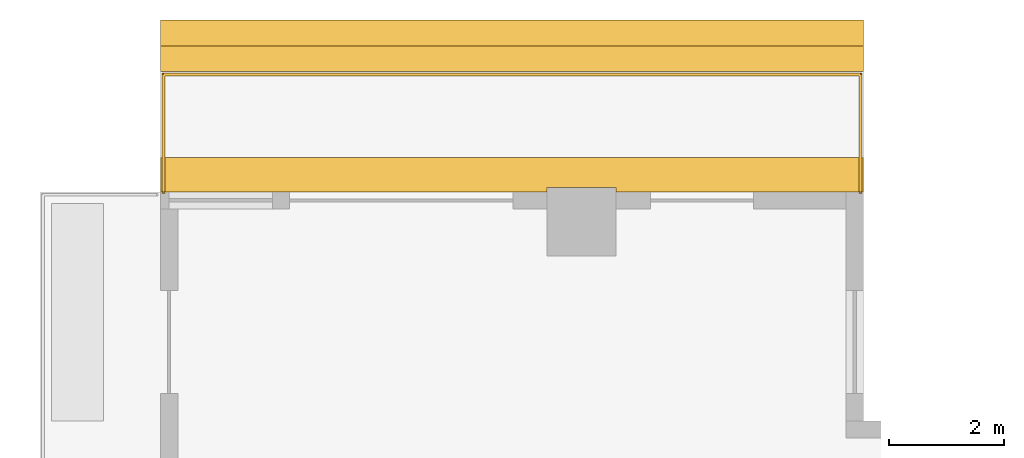
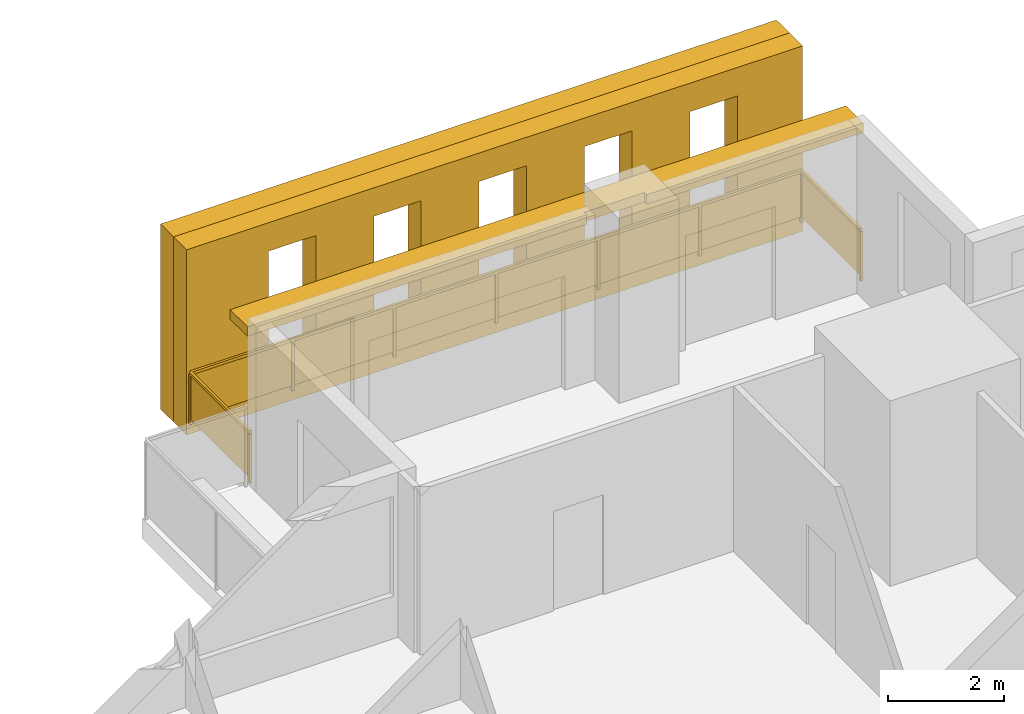
# One storey, part 16 of 16: 3 shading devices, 1 railing.
"""IFC4 building model written with IfcOpenShell, lengths in metres."""

from ifc_helpers import new_model, si_unit, direction, frame, origin, origin_2d, place, context, subcontext, project, spatial, polyline, rectangle, outline, extrude, material, layer, layer_set, type_object, element, save


model = new_model("IFC4")

# Units and contexts
model_context = context("Model", 3, precision=1e-05, world=origin(), true_north=direction((0.0, 1.0)))
body_context = subcontext(model_context, "Body", "Model", "MODEL_VIEW")
ifc_project = project(units=[si_unit("LENGTHUNIT", "METRE"), si_unit("AREAUNIT", "SQUARE_METRE"), si_unit("VOLUMEUNIT", "CUBIC_METRE"), si_unit("PLANEANGLEUNIT", "RADIAN"), si_unit("MASSUNIT", "GRAM", prefix="KILO")], contexts=[model_context])

# Site, building, storey
site_placement = place(None, origin())
site = spatial("IfcSite", under=ifc_project, at=site_placement, CompositionType="ELEMENT")
building_placement = place(site_placement, origin())
building = spatial("IfcBuilding", under=site, at=building_placement, Name="Khepri Terraces", CompositionType="ELEMENT")
storey_placement = place(building_placement, frame((0.0, 0.0, 157.199951171875)))
storey = spatial("IfcBuildingStorey", under=building, at=storey_placement, Name="L37", CompositionType="ELEMENT", Elevation=157.199951171875)

# Railing
ifc_material_1 = material(Name="Stainless steel grade 316", Category="steel")
railing_type = type_object("IfcRailingType", Name="GRD-BAL-1100", PredefinedType="GUARDRAIL", material=ifc_material_1)
railing_placement = place(storey_placement, frame((21.669921875, 25.719970703125, 0.0)))
element("IfcRailing", 1, at=railing_placement, inside=storey, type_object=railing_type, Name="Balcony guard L37 N", PredefinedType="GUARDRAIL", context=body_context, shape_type="SweptSolid", body=[
    extrude(rectangle(XDim=0.050048828125, YDim=0.06005859375, at=origin_2d()), frame((0.0, 0.0, 1.070068359375), z_axis=(0.0, 1.0, 0.0), x_axis=(-1.0, 0.0, 0.0)), (0.0, 0.0, 1.0), 2.050048828125),
    extrude(rectangle(XDim=2.0, YDim=0.011962890625, at=origin_2d()), frame((0.0, 1.02490234375, 0.10009765625), z_axis=(0.0, 0.0, 1.0), x_axis=(0.0, 1.0, 0.0)), (0.0, 0.0, 1.0), 0.93994140625),
    extrude(rectangle(XDim=0.050048828125, YDim=0.06005859375, at=origin_2d()), frame((0.0, 2.050048828125, 1.070068359375), z_axis=(-1.0, 0.0, 0.0), x_axis=(0.0, -1.0, 0.0)), (0.0, 0.0, 1.0), 12.169921875),
    extrude(rectangle(XDim=1.978271484375, YDim=0.011962890625, at=origin_2d()), frame((-1.01416015625, 2.050048828125, 0.10009765625), z_axis=(0.0, 0.0, 1.0), x_axis=(-1.0, 0.0, 0.0)), (0.0, 0.0, 1.0), 0.93994140625),
    extrude(rectangle(XDim=1.978271484375, YDim=0.011962890625, at=origin_2d()), frame((-3.04248046875, 2.050048828125, 0.10009765625), z_axis=(0.0, 0.0, 1.0), x_axis=(-1.0, 0.0, 0.0)), (0.0, 0.0, 1.0), 0.93994140625),
    extrude(rectangle(XDim=1.978271484375, YDim=0.011962890625, at=origin_2d()), frame((-5.07080078125, 2.050048828125, 0.10009765625), z_axis=(0.0, 0.0, 1.0), x_axis=(-1.0, 0.0, 0.0)), (0.0, 0.0, 1.0), 0.93994140625),
    extrude(rectangle(XDim=1.978271484375, YDim=0.011962890625, at=origin_2d()), frame((-7.09912109375, 2.050048828125, 0.10009765625), z_axis=(0.0, 0.0, 1.0), x_axis=(-1.0, 0.0, 0.0)), (0.0, 0.0, 1.0), 0.93994140625),
    extrude(rectangle(XDim=1.978271484375, YDim=0.011962890625, at=origin_2d()), frame((-9.12744140625, 2.050048828125, 0.10009765625), z_axis=(0.0, 0.0, 1.0), x_axis=(-1.0, 0.0, 0.0)), (0.0, 0.0, 1.0), 0.93994140625),
    extrude(rectangle(XDim=1.978271484375, YDim=0.011962890625, at=origin_2d()), frame((-11.15576171875, 2.050048828125, 0.10009765625), z_axis=(0.0, 0.0, 1.0), x_axis=(-1.0, 0.0, 0.0)), (0.0, 0.0, 1.0), 0.93994140625),
    extrude(rectangle(XDim=0.050048828125, YDim=0.06005859375, at=origin_2d()), frame((-12.169921875, 2.050048828125, 1.070068359375), z_axis=(0.0, -1.0, 0.0), x_axis=(1.0, 0.0, 0.0)), (0.0, 0.0, 1.0), 2.050048828125),
    extrude(rectangle(XDim=2.0, YDim=0.011962890625, at=origin_2d()), frame((-12.169921875, 1.02490234375, 0.10009765625), z_axis=(0.0, 0.0, 1.0), x_axis=(0.0, -1.0, 0.0)), (0.0, 0.0, 1.0), 0.93994140625),
    extrude(rectangle(XDim=0.050048828125, YDim=0.050048828125, at=origin_2d()), origin(), (0.0, 0.0, 1.0), 1.0400390625),
    extrude(rectangle(XDim=0.050048828125, YDim=0.050048828125, at=origin_2d()), frame((0.0, 2.050048828125, 0.0)), (0.0, 0.0, 1.0), 1.0400390625),
    extrude(rectangle(XDim=0.050048828125, YDim=0.050048828125, at=origin_2d()), frame((-2.0283203125, 2.050048828125, 0.0)), (0.0, 0.0, 1.0), 1.0400390625),
    extrude(rectangle(XDim=0.050048828125, YDim=0.050048828125, at=origin_2d()), frame((-4.056640625, 2.050048828125, 0.0)), (0.0, 0.0, 1.0), 1.0400390625),
    extrude(rectangle(XDim=0.050048828125, YDim=0.050048828125, at=origin_2d()), frame((-6.0849609375, 2.050048828125, 0.0)), (0.0, 0.0, 1.0), 1.0400390625),
    extrude(rectangle(XDim=0.050048828125, YDim=0.050048828125, at=origin_2d()), frame((-8.11328125, 2.050048828125, 0.0)), (0.0, 0.0, 1.0), 1.0400390625),
    extrude(rectangle(XDim=0.050048828125, YDim=0.050048828125, at=origin_2d()), frame((-10.1416015625, 2.050048828125, 0.0)), (0.0, 0.0, 1.0), 1.0400390625),
    extrude(rectangle(XDim=0.050048828125, YDim=0.050048828125, at=origin_2d()), frame((-12.169921875, 2.050048828125, 0.0)), (0.0, 0.0, 1.0), 1.0400390625),
    extrude(rectangle(XDim=0.050048828125, YDim=0.050048828125, at=origin_2d()), frame((-12.169921875, 0.0, 0.0)), (0.0, 0.0, 1.0), 1.0400390625),
])

# Shading devices
ifc_material_2 = material(Name="Precast concrete C50/60 warm stone", Category="masonry")
shading_device_type_1 = type_object("IfcShadingDeviceType", Name="SCR-CELL-INNER-450", PredefinedType="USERDEFINED", material=ifc_material_2)
shading_device_1_placement = place(storey_placement, frame((21.719970703125, 27.820068359375, -0.25), z_axis=(0.0, 1.0, 0.0), x_axis=(-1.0, 0.0, 0.0)))
element("IfcShadingDevice", 2, at=shading_device_1_placement, inside=storey, type_object=shading_device_type_1, Name="Cell screen L37 N in", ObjectType="SCREEN", PredefinedType="USERDEFINED", context=body_context, shape_type="SweptSolid", body=[
    extrude(outline(polyline([(0.0, 0.0), (12.27001953125, 0.0), (12.27001953125, 3.89990234375), (0.0, 3.89990234375), (0.0, 0.0)]), holes=[polyline([(1.297607421875, 0.699951171875), (2.242431640625, 0.699951171875), (2.242431640625, 3.300048828125), (1.297607421875, 3.300048828125), (1.297607421875, 0.699951171875)]), polyline([(3.3974609375, 0.699951171875), (4.342529296875, 0.699951171875), (4.342529296875, 3.300048828125), (3.3974609375, 3.300048828125), (3.3974609375, 0.699951171875)]), polyline([(5.49755859375, 0.699951171875), (6.4423828125, 0.699951171875), (6.4423828125, 3.300048828125), (5.49755859375, 3.300048828125), (5.49755859375, 0.699951171875)]), polyline([(7.597412109375, 0.699951171875), (8.54248046875, 0.699951171875), (8.54248046875, 3.300048828125), (7.597412109375, 3.300048828125), (7.597412109375, 0.699951171875)]), polyline([(9.697509765625, 0.699951171875), (10.642578125, 0.699951171875), (10.642578125, 3.300048828125), (9.697509765625, 3.300048828125), (9.697509765625, 0.699951171875)])]), origin(), (0.0, 0.0, 1.0), 0.449951171875),
])
shading_device_type_2 = type_object("IfcShadingDeviceType", Name="SCR-CELL-OUTER-450", PredefinedType="USERDEFINED", material=ifc_material_2)
shading_device_2_placement = place(storey_placement, frame((21.719970703125, 28.27001953125, -0.25), z_axis=(0.0, 1.0, 0.0), x_axis=(-1.0, 0.0, 0.0)))
element("IfcShadingDevice", 3, at=shading_device_2_placement, inside=storey, type_object=shading_device_type_2, Name="Cell screen L37 N out", ObjectType="SCREEN", PredefinedType="USERDEFINED", context=body_context, shape_type="SweptSolid", body=[
    extrude(outline(polyline([(0.0, 0.0), (12.27001953125, 0.0), (12.27001953125, 3.89990234375), (0.0, 3.89990234375), (0.0, 0.0)]), holes=[polyline([(0.947509765625, 0.449951171875), (2.592529296875, 0.449951171875), (2.592529296875, 3.550048828125), (0.947509765625, 3.550048828125), (0.947509765625, 0.449951171875)]), polyline([(3.047607421875, 0.449951171875), (4.6923828125, 0.449951171875), (4.6923828125, 3.550048828125), (3.047607421875, 3.550048828125), (3.047607421875, 0.449951171875)]), polyline([(5.1474609375, 0.449951171875), (6.79248046875, 0.449951171875), (6.79248046875, 3.550048828125), (5.1474609375, 3.550048828125), (5.1474609375, 0.449951171875)]), polyline([(7.24755859375, 0.449951171875), (8.892578125, 0.449951171875), (8.892578125, 3.550048828125), (7.24755859375, 3.550048828125), (7.24755859375, 0.449951171875)]), polyline([(9.347412109375, 0.449951171875), (10.992431640625, 0.449951171875), (10.992431640625, 3.550048828125), (9.347412109375, 3.550048828125), (9.347412109375, 0.449951171875)])]), origin(), (0.0, 0.0, 1.0), 0.449951171875),
])
ifc_layer = layer(ifc_material_2, 0.199951171875, Name="Precast concrete C50/60 warm stone", Category="masonry")
ifc_layer_set = layer_set([ifc_layer], Name="Precast concrete C50/60 warm stone")
shading_device_type_3 = type_object("IfcShadingDeviceType", Name="SSH-BAND-STONE-200-N", PredefinedType="USERDEFINED", material=ifc_layer_set)
shading_device_3_placement = place(storey_placement, frame((0.0, 0.0, 3.10009765625)))
element("IfcShadingDevice", 4, at=shading_device_3_placement, inside=storey, type_object=shading_device_type_3, Name="Sunshade band L37 N", ObjectType="SUNSHADE", PredefinedType="USERDEFINED", context=body_context, shape_type="SweptSolid", body=[
    extrude(outline(polyline([(17.39990234375, 25.719970703125), (21.719970703125, 25.719970703125), (21.719970703125, 26.320068359375), (9.449951171875, 26.320068359375), (9.449951171875, 25.719970703125), (16.199951171875, 25.719970703125), (16.199951171875, 25.800048828125), (17.39990234375, 25.800048828125), (17.39990234375, 25.719970703125)])), origin(), (0.0, 0.0, 1.0), 0.199951171875),
])

save(model, "model.ifc")
